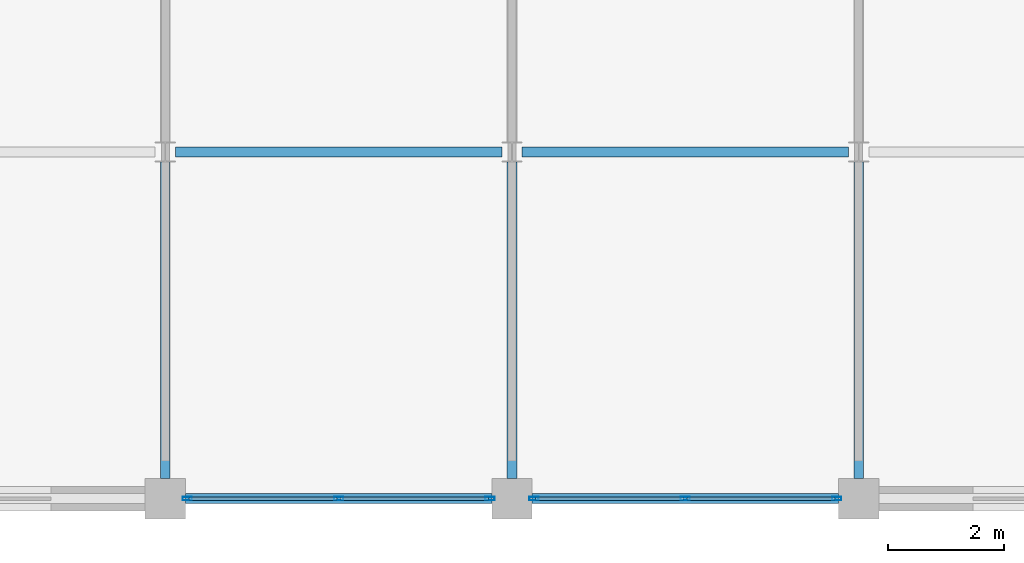
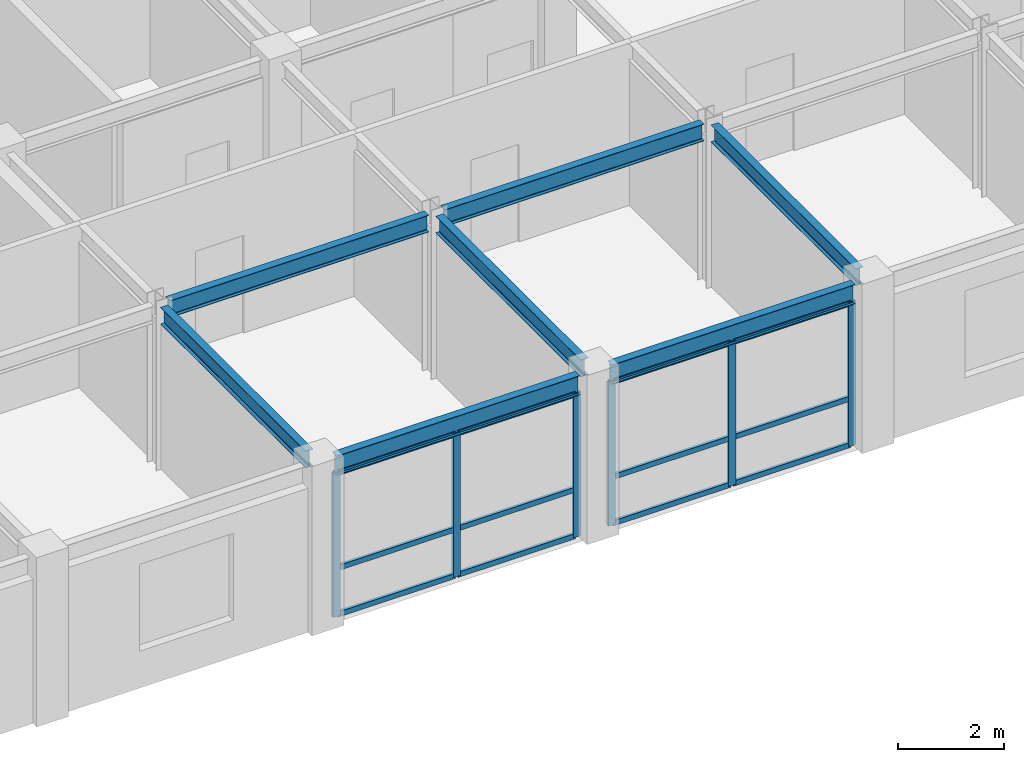
# One storey, part 4 of 12: 18 members, 7 beams, 2 elements without a shape of their own.
"""IFC4 building model written with IfcOpenShell, lengths in metres."""

from ifc_helpers import new_model, si_unit, direction, frame, origin, origin_2d, place, context, subcontext, project, spatial, hollow_rectangle, i_section, extrude, material, layer, layer_set, material_profile, profile_set, type_object, element, aggregate, save


model = new_model("IFC4")

# Units and contexts
model_context = context("Model", 3, precision=1e-05, world=origin(), true_north=direction((0.0, 1.0)))
body_context = subcontext(model_context, "Body", "Model", "MODEL_VIEW")
ifc_project = project(units=[si_unit("LENGTHUNIT", "METRE"), si_unit("AREAUNIT", "SQUARE_METRE"), si_unit("VOLUMEUNIT", "CUBIC_METRE"), si_unit("PLANEANGLEUNIT", "RADIAN"), si_unit("MASSUNIT", "GRAM", prefix="KILO")], contexts=[model_context])

# Site, building, storey
site_placement = place(None, origin())
site = spatial("IfcSite", under=ifc_project, at=site_placement, CompositionType="ELEMENT")
building_placement = place(site_placement, origin())
building = spatial("IfcBuilding", under=site, at=building_placement, Name="Zlatovratsky Civic Hall", CompositionType="ELEMENT")
storey_placement = place(building_placement, frame((0.0, 0.0, 40.5)))
storey = spatial("IfcBuildingStorey", under=building, at=storey_placement, Name="L10", CompositionType="ELEMENT", Elevation=40.5)

# Beams
ifc_material_1 = material(Name="Steel S355", Category="steel")
ifc_material_profile_1 = material_profile(ifc_material_1, i_section(OverallWidth=0.169921875, OverallDepth=0.446044921875, WebThickness=0.007568359375, FlangeThickness=0.010986328125, FilletRadius=0.01611328125, at=origin_2d()), Name="45B1")
ifc_profile_set_1 = profile_set([ifc_material_profile_1], Name="Steel S355")
beam_type_1 = type_object("IfcBeamType", Name="Beam_Spandrel_45B1", PredefinedType="SPANDREL", material=ifc_profile_set_1)
for number, where, z_axis, x_axis, name in (
    (1, (78.35009765625, 72.0, 3.51708984375), (1.0, 0.0, 0.0), (0.0, 1.0, 0.0), "BM-4613"),
    (2, (84.35009765625, 72.0, 3.51708984375), (1.0, 0.0, 0.0), (0.0, 1.0, 0.0), "BM-4614"),
):
    element("IfcBeam", number, at=place(storey_placement, frame(where, z_axis=z_axis, x_axis=x_axis)), inside=storey, type_object=beam_type_1, Name=name, PredefinedType="SPANDREL", context=body_context, shape_type="SweptSolid", body=[
        extrude(i_section(OverallWidth=0.169921875, OverallDepth=0.446044921875, WebThickness=0.007568359375, FlangeThickness=0.010986328125, FilletRadius=0.01611328125, at=origin_2d()), origin(), (0.0, 0.0, 1.0), 5.2998046875),
    ])
ifc_material_profile_2 = material_profile(ifc_material_1, i_section(OverallWidth=0.1650390625, OverallDepth=0.39208984375, WebThickness=0.006591796875, FlangeThickness=0.009521484375, FilletRadius=0.014892578125, at=origin_2d()), Name="40B1")
ifc_profile_set_2 = profile_set([ifc_material_profile_2], Name="Steel S355")
beam_type_2 = type_object("IfcBeamType", Name="Beam_Tie_40B1", PredefinedType="BEAM", material=ifc_profile_set_2)
for number, where, z_axis, x_axis, name in (
    (3, (78.175048828125, 78.0, 3.5439453125), (1.0, 0.0, 0.0), (0.0, 1.0, 0.0), "BM-4621"),
    (4, (84.175048828125, 78.0, 3.5439453125), (1.0, 0.0, 0.0), (0.0, 1.0, 0.0), "BM-4622"),
):
    element("IfcBeam", number, at=place(storey_placement, frame(where, z_axis=z_axis, x_axis=x_axis)), inside=storey, type_object=beam_type_2, Name=name, PredefinedType="BEAM", context=body_context, shape_type="SweptSolid", body=[
        extrude(i_section(OverallWidth=0.1650390625, OverallDepth=0.39208984375, WebThickness=0.006591796875, FlangeThickness=0.009521484375, FilletRadius=0.014892578125, at=origin_2d()), origin(), (0.0, 0.0, 1.0), 5.64990234375),
    ])
for number, where, z_axis, x_axis, name in (
    (5, (78.0, 72.35009765625, 3.5439453125), (0.0, 1.0, 0.0), (-1.0, 0.0, 0.0), "BM-4671"),
    (6, (84.0, 72.35009765625, 3.5439453125), (0.0, 1.0, 0.0), (-1.0, 0.0, 0.0), "BM-4676"),
    (7, (90.0, 72.35009765625, 3.5439453125), (0.0, 1.0, 0.0), (-1.0, 0.0, 0.0), "BM-4681"),
):
    element("IfcBeam", number, at=place(storey_placement, frame(where, z_axis=z_axis, x_axis=x_axis)), inside=storey, type_object=beam_type_2, Name=name, PredefinedType="BEAM", context=body_context, shape_type="SweptSolid", body=[
        extrude(i_section(OverallWidth=0.1650390625, OverallDepth=0.39208984375, WebThickness=0.006591796875, FlangeThickness=0.009521484375, FilletRadius=0.014892578125, at=origin_2d()), origin(), (0.0, 0.0, 1.0), 5.474853515625),
    ])

# Curtain wall, members
ifc_material_2 = material(Name="Anodised bronze aluminium", Category="aluminium")
ifc_layer = layer(ifc_material_2, 0.159912109375)
ifc_layer_set = layer_set([ifc_layer], Name="Anodised bronze aluminium")
curtain_wall_type = type_object("IfcCurtainWallType", Name="CurtainWall_Bronze_5300x3320_21", PredefinedType="NOTDEFINED", material=ifc_layer_set)
curtain_wall_1_placement = place(storey_placement, origin())
curtain_wall_1 = element("IfcCurtainWall", 8, at=curtain_wall_1_placement, inside=storey, type_object=curtain_wall_type, Name="CW-149", PredefinedType="NOTDEFINED")
ifc_material_profile_3 = material_profile(ifc_material_2, hollow_rectangle(XDim=0.06005859375, YDim=0.159912109375, WallThickness=0.00390625, at=origin_2d()), Name="ALU 60x160x4")
ifc_profile_set_3 = profile_set([ifc_material_profile_3], Name="Anodised bronze aluminium")
member_type_1 = type_object("IfcMemberType", Name="CW_Mullion_60x160", PredefinedType="MULLION", material=ifc_profile_set_3)
member_1_placement = place(storey_placement, frame((78.3798828125, 72.0, 0.0), z_axis=(0.0, 0.0, 1.0), x_axis=(0.0, 1.0, 0.0)))
member_1 = element("IfcMember", 9, at=member_1_placement, type_object=member_type_1, Name="CW-21 mullion 1", PredefinedType="MULLION", context=body_context, shape_type="SweptSolid", body=[
    extrude(hollow_rectangle(XDim=0.06005859375, YDim=0.159912109375, WallThickness=0.00390625, at=origin_2d()), origin(), (0.0, 0.0, 1.0), 3.320068359375),
])
member_2_placement = place(storey_placement, frame((81.0, 72.0, 0.0), z_axis=(0.0, 0.0, 1.0), x_axis=(0.0, 1.0, 0.0)))
member_2 = element("IfcMember", 10, at=member_2_placement, type_object=member_type_1, Name="CW-21 mullion 2", PredefinedType="MULLION", context=body_context, shape_type="SweptSolid", body=[
    extrude(hollow_rectangle(XDim=0.06005859375, YDim=0.159912109375, WallThickness=0.00390625, at=origin_2d()), origin(), (0.0, 0.0, 1.0), 3.320068359375),
])
member_3_placement = place(storey_placement, frame((83.6201171875, 72.0, 0.0), z_axis=(0.0, 0.0, 1.0), x_axis=(0.0, 1.0, 0.0)))
member_3 = element("IfcMember", 11, at=member_3_placement, type_object=member_type_1, Name="CW-21 mullion 3", PredefinedType="MULLION", context=body_context, shape_type="SweptSolid", body=[
    extrude(hollow_rectangle(XDim=0.06005859375, YDim=0.159912109375, WallThickness=0.00390625, at=origin_2d()), origin(), (0.0, 0.0, 1.0), 3.320068359375),
])

curtain_wall_2_placement = place(storey_placement, origin())
curtain_wall_2 = element("IfcCurtainWall", 12, at=curtain_wall_2_placement, inside=storey, type_object=curtain_wall_type, Name="CW-150", PredefinedType="NOTDEFINED")
member_4_placement = place(storey_placement, frame((84.3798828125, 72.0, 0.0), z_axis=(0.0, 0.0, 1.0), x_axis=(0.0, 1.0, 0.0)))
member_4 = element("IfcMember", 13, at=member_4_placement, type_object=member_type_1, Name="CW-21 mullion 1", PredefinedType="MULLION", context=body_context, shape_type="SweptSolid", body=[
    extrude(hollow_rectangle(XDim=0.06005859375, YDim=0.159912109375, WallThickness=0.00390625, at=origin_2d()), origin(), (0.0, 0.0, 1.0), 3.320068359375),
])
member_5_placement = place(storey_placement, frame((87.0, 72.0, 0.0), z_axis=(0.0, 0.0, 1.0), x_axis=(0.0, 1.0, 0.0)))
member_5 = element("IfcMember", 14, at=member_5_placement, type_object=member_type_1, Name="CW-21 mullion 2", PredefinedType="MULLION", context=body_context, shape_type="SweptSolid", body=[
    extrude(hollow_rectangle(XDim=0.06005859375, YDim=0.159912109375, WallThickness=0.00390625, at=origin_2d()), origin(), (0.0, 0.0, 1.0), 3.320068359375),
])
member_6_placement = place(storey_placement, frame((89.6201171875, 72.0, 0.0), z_axis=(0.0, 0.0, 1.0), x_axis=(0.0, 1.0, 0.0)))
member_6 = element("IfcMember", 15, at=member_6_placement, type_object=member_type_1, Name="CW-21 mullion 3", PredefinedType="MULLION", context=body_context, shape_type="SweptSolid", body=[
    extrude(hollow_rectangle(XDim=0.06005859375, YDim=0.159912109375, WallThickness=0.00390625, at=origin_2d()), origin(), (0.0, 0.0, 1.0), 3.320068359375),
])

# Member
ifc_material_profile_4 = material_profile(ifc_material_2, hollow_rectangle(XDim=0.06005859375, YDim=0.1201171875, WallThickness=0.00390625, at=origin_2d()), Name="ALU 60x120x4")
ifc_profile_set_4 = profile_set([ifc_material_profile_4], Name="Anodised bronze aluminium")
member_type_2 = type_object("IfcMemberType", Name="CW_Transom_60x120", PredefinedType="USERDEFINED", material=ifc_profile_set_4)
member_7_placement = place(storey_placement, frame((78.409912109375, 72.0, 0.030029296875), z_axis=(1.0, 0.0, 0.0), x_axis=(0.0, 1.0, 0.0)))
member_7 = element("IfcMember", 16, at=member_7_placement, type_object=member_type_2, Name="CW-21 transom 1.1", ObjectType="TRANSOM", PredefinedType="USERDEFINED", context=body_context, shape_type="SweptSolid", body=[
    extrude(hollow_rectangle(XDim=0.06005859375, YDim=0.1201171875, WallThickness=0.00390625, at=origin_2d()), origin(), (0.0, 0.0, 1.0), 2.56005859375),
])

member_8_placement = place(storey_placement, frame((78.409912109375, 72.0, 1.10009765625), z_axis=(1.0, 0.0, 0.0), x_axis=(0.0, 1.0, 0.0)))
member_8 = element("IfcMember", 17, at=member_8_placement, type_object=member_type_2, Name="CW-21 transom 1.2", ObjectType="TRANSOM", PredefinedType="USERDEFINED", context=body_context, shape_type="SweptSolid", body=[
    extrude(hollow_rectangle(XDim=0.06005859375, YDim=0.1201171875, WallThickness=0.00390625, at=origin_2d()), origin(), (0.0, 0.0, 1.0), 2.56005859375),
])

member_9_placement = place(storey_placement, frame((78.409912109375, 72.0, 3.2900390625), z_axis=(1.0, 0.0, 0.0), x_axis=(0.0, 1.0, 0.0)))
member_9 = element("IfcMember", 18, at=member_9_placement, type_object=member_type_2, Name="CW-21 transom 1.3", ObjectType="TRANSOM", PredefinedType="USERDEFINED", context=body_context, shape_type="SweptSolid", body=[
    extrude(hollow_rectangle(XDim=0.06005859375, YDim=0.1201171875, WallThickness=0.00390625, at=origin_2d()), origin(), (0.0, 0.0, 1.0), 2.56005859375),
])

member_10_placement = place(storey_placement, frame((81.030029296875, 72.0, 0.030029296875), z_axis=(1.0, 0.0, 0.0), x_axis=(0.0, 1.0, 0.0)))
member_10 = element("IfcMember", 19, at=member_10_placement, type_object=member_type_2, Name="CW-21 transom 2.1", ObjectType="TRANSOM", PredefinedType="USERDEFINED", context=body_context, shape_type="SweptSolid", body=[
    extrude(hollow_rectangle(XDim=0.06005859375, YDim=0.1201171875, WallThickness=0.00390625, at=origin_2d()), origin(), (0.0, 0.0, 1.0), 2.56005859375),
])

member_11_placement = place(storey_placement, frame((81.030029296875, 72.0, 1.10009765625), z_axis=(1.0, 0.0, 0.0), x_axis=(0.0, 1.0, 0.0)))
member_11 = element("IfcMember", 20, at=member_11_placement, type_object=member_type_2, Name="CW-21 transom 2.2", ObjectType="TRANSOM", PredefinedType="USERDEFINED", context=body_context, shape_type="SweptSolid", body=[
    extrude(hollow_rectangle(XDim=0.06005859375, YDim=0.1201171875, WallThickness=0.00390625, at=origin_2d()), origin(), (0.0, 0.0, 1.0), 2.56005859375),
])

member_12_placement = place(storey_placement, frame((81.030029296875, 72.0, 3.2900390625), z_axis=(1.0, 0.0, 0.0), x_axis=(0.0, 1.0, 0.0)))
member_12 = element("IfcMember", 21, at=member_12_placement, type_object=member_type_2, Name="CW-21 transom 2.3", ObjectType="TRANSOM", PredefinedType="USERDEFINED", context=body_context, shape_type="SweptSolid", body=[
    extrude(hollow_rectangle(XDim=0.06005859375, YDim=0.1201171875, WallThickness=0.00390625, at=origin_2d()), origin(), (0.0, 0.0, 1.0), 2.56005859375),
])

aggregate(curtain_wall_1, [member_1, member_2, member_3, member_7, member_8, member_9, member_10, member_11, member_12])

member_13_placement = place(storey_placement, frame((84.409912109375, 72.0, 0.030029296875), z_axis=(1.0, 0.0, 0.0), x_axis=(0.0, 1.0, 0.0)))
member_13 = element("IfcMember", 22, at=member_13_placement, type_object=member_type_2, Name="CW-21 transom 1.1", ObjectType="TRANSOM", PredefinedType="USERDEFINED", context=body_context, shape_type="SweptSolid", body=[
    extrude(hollow_rectangle(XDim=0.06005859375, YDim=0.1201171875, WallThickness=0.00390625, at=origin_2d()), origin(), (0.0, 0.0, 1.0), 2.56005859375),
])

member_14_placement = place(storey_placement, frame((84.409912109375, 72.0, 1.10009765625), z_axis=(1.0, 0.0, 0.0), x_axis=(0.0, 1.0, 0.0)))
member_14 = element("IfcMember", 23, at=member_14_placement, type_object=member_type_2, Name="CW-21 transom 1.2", ObjectType="TRANSOM", PredefinedType="USERDEFINED", context=body_context, shape_type="SweptSolid", body=[
    extrude(hollow_rectangle(XDim=0.06005859375, YDim=0.1201171875, WallThickness=0.00390625, at=origin_2d()), origin(), (0.0, 0.0, 1.0), 2.56005859375),
])

member_15_placement = place(storey_placement, frame((84.409912109375, 72.0, 3.2900390625), z_axis=(1.0, 0.0, 0.0), x_axis=(0.0, 1.0, 0.0)))
member_15 = element("IfcMember", 24, at=member_15_placement, type_object=member_type_2, Name="CW-21 transom 1.3", ObjectType="TRANSOM", PredefinedType="USERDEFINED", context=body_context, shape_type="SweptSolid", body=[
    extrude(hollow_rectangle(XDim=0.06005859375, YDim=0.1201171875, WallThickness=0.00390625, at=origin_2d()), origin(), (0.0, 0.0, 1.0), 2.56005859375),
])

member_16_placement = place(storey_placement, frame((87.030029296875, 72.0, 0.030029296875), z_axis=(1.0, 0.0, 0.0), x_axis=(0.0, 1.0, 0.0)))
member_16 = element("IfcMember", 25, at=member_16_placement, type_object=member_type_2, Name="CW-21 transom 2.1", ObjectType="TRANSOM", PredefinedType="USERDEFINED", context=body_context, shape_type="SweptSolid", body=[
    extrude(hollow_rectangle(XDim=0.06005859375, YDim=0.1201171875, WallThickness=0.00390625, at=origin_2d()), origin(), (0.0, 0.0, 1.0), 2.56005859375),
])

member_17_placement = place(storey_placement, frame((87.030029296875, 72.0, 1.10009765625), z_axis=(1.0, 0.0, 0.0), x_axis=(0.0, 1.0, 0.0)))
member_17 = element("IfcMember", 26, at=member_17_placement, type_object=member_type_2, Name="CW-21 transom 2.2", ObjectType="TRANSOM", PredefinedType="USERDEFINED", context=body_context, shape_type="SweptSolid", body=[
    extrude(hollow_rectangle(XDim=0.06005859375, YDim=0.1201171875, WallThickness=0.00390625, at=origin_2d()), origin(), (0.0, 0.0, 1.0), 2.56005859375),
])

member_18_placement = place(storey_placement, frame((87.030029296875, 72.0, 3.2900390625), z_axis=(1.0, 0.0, 0.0), x_axis=(0.0, 1.0, 0.0)))
member_18 = element("IfcMember", 27, at=member_18_placement, type_object=member_type_2, Name="CW-21 transom 2.3", ObjectType="TRANSOM", PredefinedType="USERDEFINED", context=body_context, shape_type="SweptSolid", body=[
    extrude(hollow_rectangle(XDim=0.06005859375, YDim=0.1201171875, WallThickness=0.00390625, at=origin_2d()), origin(), (0.0, 0.0, 1.0), 2.56005859375),
])

aggregate(curtain_wall_2, [member_4, member_5, member_6, member_13, member_14, member_15, member_16, member_17, member_18])

save(model, "model.ifc")
